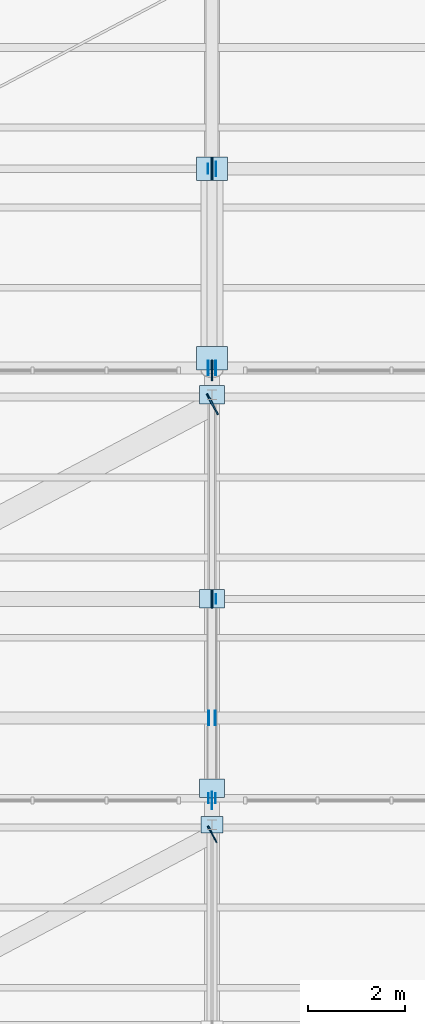
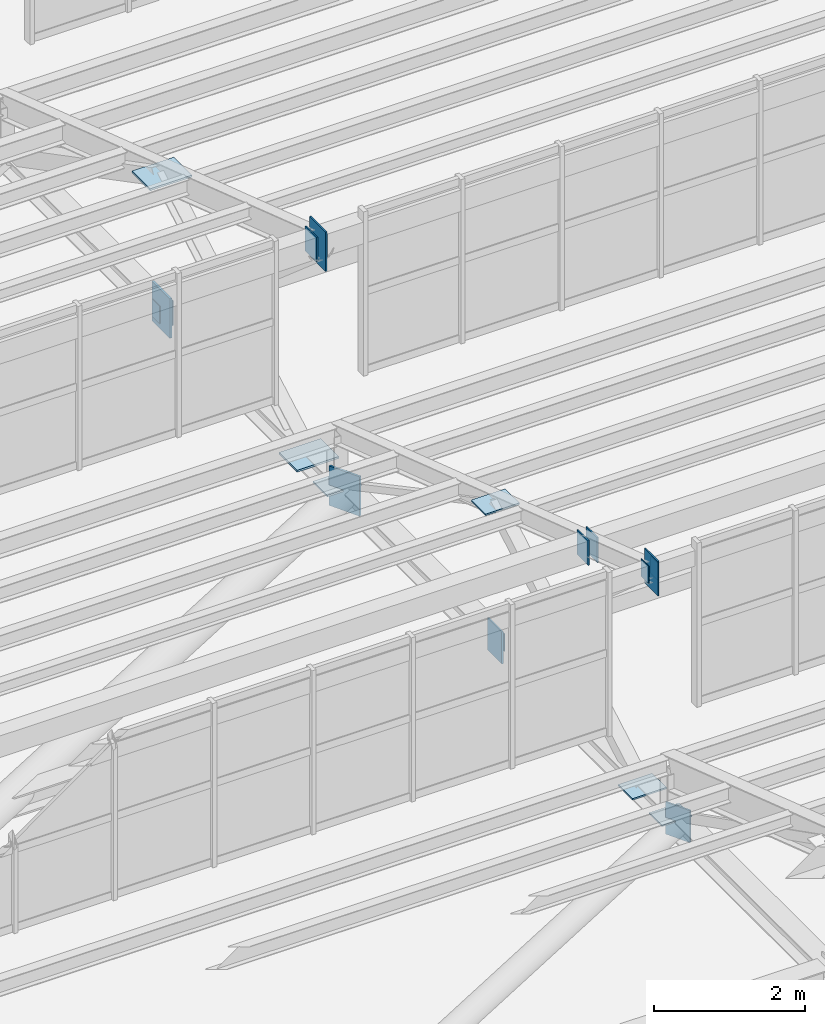
# One storey, part 199 of 285: 21 plates.
"""IFC4 building model written with IfcOpenShell, lengths in metres."""

from ifc_helpers import new_model, si_unit, direction, frame, origin, origin_2d, place, context, subcontext, project, spatial, rectangle, extrude, material, layer, layer_set, type_object, element, save


model = new_model("IFC4")

# Units and contexts
model_context = context("Model", 3, precision=1e-05, world=origin(), true_north=direction((0.0, 1.0)))
body_context = subcontext(model_context, "Body", "Model", "MODEL_VIEW")
ifc_project = project(units=[si_unit("LENGTHUNIT", "METRE"), si_unit("AREAUNIT", "SQUARE_METRE"), si_unit("VOLUMEUNIT", "CUBIC_METRE"), si_unit("PLANEANGLEUNIT", "RADIAN"), si_unit("MASSUNIT", "GRAM", prefix="KILO")], contexts=[model_context])

# Site, building, storey
site_placement = place(None, origin())
site = spatial("IfcSite", under=ifc_project, at=site_placement, CompositionType="ELEMENT")
building_placement = place(site_placement, origin())
building = spatial("IfcBuilding", under=site, at=building_placement, Name="Solanera Park Tramway Depot", CompositionType="ELEMENT")
storey_placement = place(building_placement, origin())
storey = spatial("IfcBuildingStorey", under=building, at=storey_placement, Name="L00", CompositionType="ELEMENT", Elevation=0.0)

# Plates
ifc_material_1 = material(Name="Steel AS/NZS 3679.1 Grade 350", Category="steel")
ifc_layer_1 = layer(ifc_material_1, 0.013916015625)
ifc_layer_set_1 = layer_set([ifc_layer_1], Name="Steel AS/NZS 3679.1 Grade 350")
plate_type_1 = type_object("IfcPlateType", Name="Hollow End Cap and Base Plate 280x200x14", PredefinedType="USERDEFINED", material=ifc_layer_set_1)
for number, where, z_axis, x_axis, name in (
    (1, (59.927978515625, 64.64990234375, 10.0), (0.0, 0.0, 1.0), (1.0, 0.0, 0.0), "Hollow Section Welded End Cap Plate #0227"),
    (2, (60.072021484375, 64.64990234375, 10.0), (0.0, 0.0, 1.0), (1.0, 0.0, 0.0), "Hollow Section Welded End Cap Plate #0228"),
    (3, (60.0849609375, 68.75, 6.35986328125), (0.0, 0.0, 1.0), (1.0, 0.0, 0.0), "Hollow Section Welded End Cap Plate #0258"),
    (4, (59.9150390625, 77.60009765625, 6.35986328125), (0.0, 0.0, 1.0), (1.0, 0.0, 0.0), "Hollow Section Welded End Cap Plate #0344"),
):
    element("IfcPlate", number, at=place(storey_placement, frame(where, z_axis=z_axis, x_axis=x_axis)), inside=storey, type_object=plate_type_1, Name=name, ObjectType="BASE PLATE", PredefinedType="USERDEFINED", context=body_context, shape_type="SweptSolid", body=[
        extrude(rectangle(XDim=0.013916015625, YDim=0.199951171875, at=origin_2d()), origin(), (0.0, 0.0, 1.0), 0.280029296875),
    ])
ifc_material_2 = material(Name="Steel AS/NZS 3679.1 Grade 350", Category="steel")
ifc_layer_2 = layer(ifc_material_2, 0.02001953125)
ifc_layer_set_2 = layer_set([ifc_layer_2], Name="Steel AS/NZS 3679.1 Grade 350")
plate_type_2 = type_object("IfcPlateType", Name="Hollow End Cap and Base Plate 400x300x20", PredefinedType="USERDEFINED", material=ifc_layer_set_2)
for number, where, z_axis, x_axis, name in (
    (5, (59.930908203125, 66.300048828125, 9.3212890625), (0.0, 0.0, 1.0), (1.0, 0.0, 0.0), "Hollow Section Welded End Cap Plate #0243"),
    (6, (60.069091796875, 66.300048828125, 9.3212890625), (0.0, 0.0, 1.0), (1.0, 0.0, 0.0), "Hollow Section Welded End Cap Plate #0244"),
    (7, (59.925048828125, 73.5, 9.873291015625), (0.0, 0.0, 1.0), (1.0, 0.0, 0.0), "Hollow Section Welded End Cap Plate #0328"),
    (8, (60.074951171875, 73.5, 9.873291015625), (0.0, 0.0, 1.0), (1.0, 0.0, 0.0), "Hollow Section Welded End Cap Plate #0329"),
    (9, (60.08203125, 77.60009765625, 6.300048828125), (0.0, 0.0, 1.0), (1.0, 0.0, 0.0), "Hollow Section Welded End Cap Plate #0347"),
):
    element("IfcPlate", number, at=place(storey_placement, frame(where, z_axis=z_axis, x_axis=x_axis)), inside=storey, type_object=plate_type_2, Name=name, ObjectType="BASE PLATE", PredefinedType="USERDEFINED", context=body_context, shape_type="SweptSolid", body=[
        extrude(rectangle(XDim=0.02001953125, YDim=0.300048828125, at=origin_2d()), origin(), (0.0, 0.0, 1.0), 0.39990234375),
    ])
ifc_material_3 = material(Name="Steel AS/NZS 3679.1 Grade 350", Category="steel")
ifc_layer_3 = layer(ifc_material_3, 0.02197265625)
ifc_layer_set_3 = layer_set([ifc_layer_3], Name="Steel AS/NZS 3679.1 Grade 350")
plate_type_3 = type_object("IfcPlateType", Name="Hollow End Cap and Base Plate 460x340x22", PredefinedType="USERDEFINED", material=ifc_layer_set_3)
plate_1_placement = place(storey_placement, frame((60.0, 64.10009765625, 6.489013671875), z_axis=(0.0, 0.0, 1.0), x_axis=(1.0, 0.0, 0.0)))
element("IfcPlate", 10, at=plate_1_placement, inside=storey, type_object=plate_type_3, Name="Sawtooth Truss Node Cap Plate #0089", ObjectType="BASE PLATE", PredefinedType="USERDEFINED", context=body_context, shape_type="SweptSolid", body=[
    extrude(rectangle(XDim=0.4599609375, YDim=0.340087890625, at=origin_2d()), origin(), (0.0, 0.0, 1.0), 0.02197265625),
])
ifc_material_4 = material(Name="Steel AS/NZS 3679.1 Grade 350", Category="steel")
ifc_layer_4 = layer(ifc_material_4, 0.02490234375)
ifc_layer_set_4 = layer_set([ifc_layer_4], Name="Steel AS/NZS 3679.1 Grade 350")
plate_type_4 = type_object("IfcPlateType", Name="Hollow End Cap and Base Plate 520x380x25", PredefinedType="USERDEFINED", material=ifc_layer_set_4)
for number, where, z_axis, x_axis, name in (
    (11, (60.005615234375, 63.904052734375, 6.239990234375), (0.0, 0.0, 1.0), (0.883520501477, 0.468392488698, 0.0), "Hollow Section Welded End Cap Plate #0168"),
    (12, (60.0, 68.75, 6.239990234375), (0.0, 0.0, 1.0), (1.0, 0.0, 0.0), "Sawtooth Truss Hollow End Cap #0193"),
):
    element("IfcPlate", number, at=place(storey_placement, frame(where, z_axis=z_axis, x_axis=x_axis)), inside=storey, type_object=plate_type_4, Name=name, ObjectType="BASE PLATE", PredefinedType="USERDEFINED", context=body_context, shape_type="SweptSolid", body=[
        extrude(rectangle(XDim=0.02490234375, YDim=0.3798828125, at=origin_2d()), origin(), (0.0, 0.0, 1.0), 0.52001953125),
    ])
for number, where, z_axis, x_axis, name in (
    (13, (60.0, 72.949951171875, 6.487548828125), (0.0, 0.0, 1.0), (1.0, 0.0, 0.0), "Sawtooth Truss Node Cap Plate #0194"),
    (14, (60.0, 68.75, 8.730224609375), (0.0, 0.0, 1.0), (1.0, 0.0, 0.0), "Sawtooth Truss Node Cap Plate #0195"),
    (15, (60.0, 64.85009765625, 6.487548828125), (0.0, 0.0, 1.0), (1.0, 0.0, 0.0), "Sawtooth Truss Node Cap Plate #0196"),
):
    element("IfcPlate", number, at=place(storey_placement, frame(where, z_axis=z_axis, x_axis=x_axis)), inside=storey, type_object=plate_type_4, Name=name, ObjectType="BASE PLATE", PredefinedType="USERDEFINED", context=body_context, shape_type="SweptSolid", body=[
        extrude(rectangle(XDim=0.52001953125, YDim=0.3798828125, at=origin_2d()), origin(), (0.0, 0.0, 1.0), 0.02490234375),
    ])
ifc_material_5 = material(Name="Steel AS/NZS 3679.1 Grade 350", Category="steel")
ifc_layer_5 = layer(ifc_material_5, 0.031982421875)
ifc_layer_set_5 = layer_set([ifc_layer_5], Name="Steel AS/NZS 3679.1 Grade 350")
plate_type_5 = type_object("IfcPlateType", Name="Hollow End Cap and Base Plate 640x480x32", PredefinedType="USERDEFINED", material=ifc_layer_set_5)
for number, where, z_axis, x_axis, name in (
    (16, (60.008544921875, 72.755615234375, 6.18017578125), (0.0, 0.0, 1.0), (0.883520501477, 0.468392488698, 0.0), "Hollow Section Welded End Cap Plate #0257"),
    (17, (60.0, 77.60009765625, 6.18017578125), (0.0, 0.0, 1.0), (1.0, 0.0, 0.0), "Sawtooth Truss Hollow End Cap #0287"),
):
    element("IfcPlate", number, at=place(storey_placement, frame(where, z_axis=z_axis, x_axis=x_axis)), inside=storey, type_object=plate_type_5, Name=name, ObjectType="BASE PLATE", PredefinedType="USERDEFINED", context=body_context, shape_type="SweptSolid", body=[
        extrude(rectangle(XDim=0.031982421875, YDim=0.47998046875, at=origin_2d()), origin(), (0.0, 0.0, 1.0), 0.639892578125),
    ])
for number, where, z_axis, x_axis, name in (
    (18, (60.0, 77.60009765625, 8.67724609375), (0.0, 0.0, 1.0), (1.0, 0.0, 0.0), "Sawtooth Truss Node Cap Plate #0289"),
    (19, (60.0, 73.699951171875, 6.48388671875), (0.0, 0.0, 1.0), (1.0, 0.0, 0.0), "Sawtooth Truss Node Cap Plate #0290"),
):
    element("IfcPlate", number, at=place(storey_placement, frame(where, z_axis=z_axis, x_axis=x_axis)), inside=storey, type_object=plate_type_5, Name=name, ObjectType="BASE PLATE", PredefinedType="USERDEFINED", context=body_context, shape_type="SweptSolid", body=[
        extrude(rectangle(XDim=0.639892578125, YDim=0.47998046875, at=origin_2d()), origin(), (0.0, 0.0, 1.0), 0.031982421875),
    ])
ifc_material_6 = material(Name="Steel AS/NZS 3679.1 Grade 350", Category="steel")
ifc_layer_6 = layer(ifc_material_6, 0.02001953125)
ifc_layer_set_6 = layer_set([ifc_layer_6], Name="Steel AS/NZS 3679.1 Grade 350")
plate_type_6 = type_object("IfcPlateType", Name="Truss Node Gusset Stiffener 560x360x20", PredefinedType="SHEET", material=ifc_layer_set_6)
plate_2_placement = place(storey_placement, frame((60.0, 64.60009765625, 9.85107421875), z_axis=(0.0, 0.0, 1.0), x_axis=(1.0, 0.0, 0.0)))
element("IfcPlate", 20, at=plate_2_placement, inside=storey, type_object=plate_type_6, Name="Sawtooth Truss Apex Gusset Plate #0192", PredefinedType="SHEET", context=body_context, shape_type="SweptSolid", body=[
    extrude(rectangle(XDim=0.02001953125, YDim=0.360107421875, at=origin_2d()), origin(), (0.0, 0.0, 1.0), 0.56005859375),
])
ifc_material_7 = material(Name="Steel AS/NZS 3679.1 Grade 350", Category="steel")
ifc_layer_7 = layer(ifc_material_7, 0.02197265625)
ifc_layer_set_7 = layer_set([ifc_layer_7], Name="Steel AS/NZS 3679.1 Grade 350")
plate_type_7 = type_object("IfcPlateType", Name="Truss Node Gusset Stiffener 640x420x22", PredefinedType="SHEET", material=ifc_layer_set_7)
plate_3_placement = place(storey_placement, frame((60.0, 73.449951171875, 9.76171875), z_axis=(0.0, 0.0, 1.0), x_axis=(1.0, 0.0, 0.0)))
element("IfcPlate", 21, at=plate_3_placement, inside=storey, type_object=plate_type_7, Name="Sawtooth Truss Apex Gusset Plate #0286", PredefinedType="SHEET", context=body_context, shape_type="SweptSolid", body=[
    extrude(rectangle(XDim=0.02197265625, YDim=0.419921875, at=origin_2d()), origin(), (0.0, 0.0, 1.0), 0.639892578125),
])

save(model, "model.ifc")
